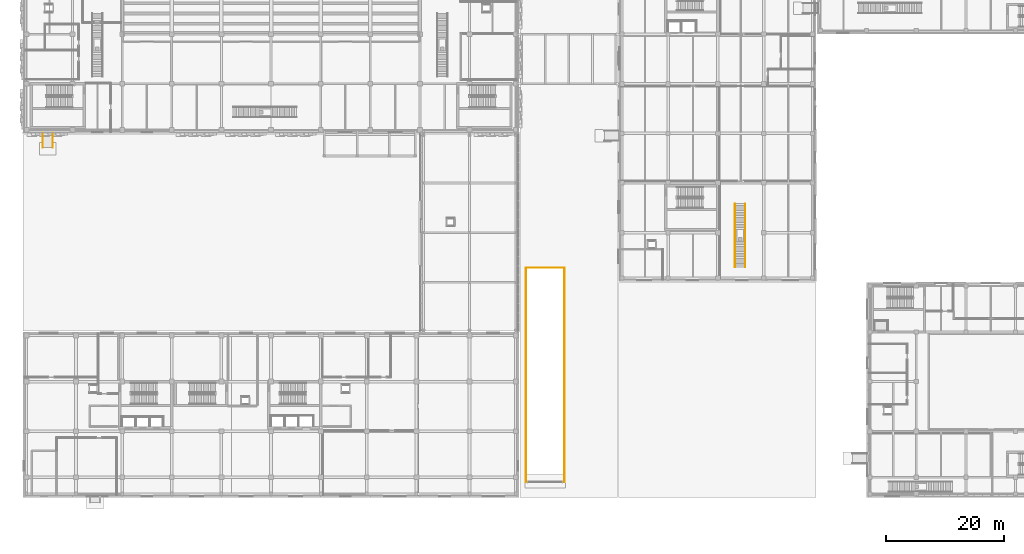
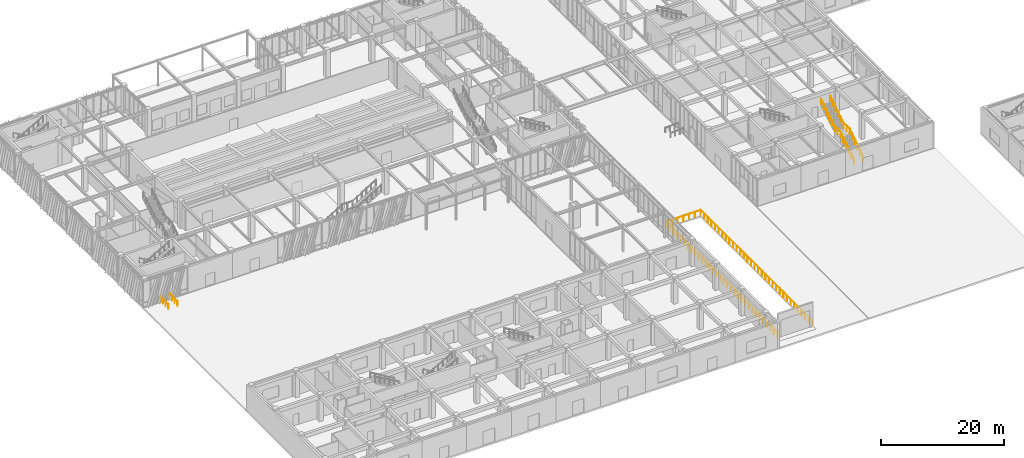
# One storey, part 109 of 122: 7 railings.
"""IFC4 building model written with IfcOpenShell, lengths in metres."""

from ifc_helpers import new_model, si_unit, direction, frame, origin, origin_2d, place, context, subcontext, project, spatial, circle, extrude, material, type_object, element, save


model = new_model("IFC4")

# Units and contexts
model_context = context("Model", 3, precision=1e-05, world=origin(), true_north=direction((0.0, 1.0)))
body_context = subcontext(model_context, "Body", "Model", "MODEL_VIEW")
ifc_project = project(units=[si_unit("LENGTHUNIT", "METRE"), si_unit("AREAUNIT", "SQUARE_METRE"), si_unit("VOLUMEUNIT", "CUBIC_METRE"), si_unit("PLANEANGLEUNIT", "RADIAN"), si_unit("MASSUNIT", "GRAM", prefix="KILO")], contexts=[model_context])

# Site, building, storey
site_placement = place(None, origin())
site = spatial("IfcSite", under=ifc_project, at=site_placement, CompositionType="ELEMENT")
building_placement = place(site_placement, origin())
building = spatial("IfcBuilding", under=site, at=building_placement, Name="Zayran Congress Hotel", CompositionType="ELEMENT")
storey_placement = place(building_placement, origin())
storey = spatial("IfcBuildingStorey", under=building, at=storey_placement, Name="L00", CompositionType="ELEMENT", Elevation=0.0)

# Railings
ifc_material_1 = material(Name="Warm bronze anodised aluminium balustrade", Category="aluminium")
railing_type_1 = type_object("IfcRailingType", Name="TP-GRD-EXT", PredefinedType="GUARDRAIL", material=ifc_material_1)
railing_1_placement = place(storey_placement, frame((93.550048828125, 8.60009765625, 0.0)))
element("IfcRailing", 1, at=railing_1_placement, inside=storey, type_object=railing_type_1, Name="GRD-RMP-L00W", PredefinedType="GUARDRAIL", context=body_context, shape_type="SweptSolid", body=[
    extrude(circle(Radius=0.02392578125, at=origin_2d()), frame((0.0, 0.0, 1.09619140625), z_axis=(0.0, 1.0, 0.0), x_axis=(-1.0, 0.0, 0.0)), (0.0, 0.0, 1.0), 36.25),
    extrude(circle(Radius=0.02099609375, at=origin_2d()), origin(), (0.0, 0.0, 1.0), 1.072021484375),
    extrude(circle(Radius=0.02099609375, at=origin_2d()), frame((0.0, 1.16943359375, 0.0)), (0.0, 0.0, 1.0), 1.072021484375),
    extrude(circle(Radius=0.02099609375, at=origin_2d()), frame((0.0, 2.338623046875, 0.0)), (0.0, 0.0, 1.0), 1.072021484375),
    extrude(circle(Radius=0.02099609375, at=origin_2d()), frame((0.0, 3.508056640625, 0.0)), (0.0, 0.0, 1.0), 1.072021484375),
    extrude(circle(Radius=0.02099609375, at=origin_2d()), frame((0.0, 4.677490234375, 0.0)), (0.0, 0.0, 1.0), 1.072021484375),
    extrude(circle(Radius=0.02099609375, at=origin_2d()), frame((0.0, 5.8466796875, 0.0)), (0.0, 0.0, 1.0), 1.072021484375),
    extrude(circle(Radius=0.02099609375, at=origin_2d()), frame((0.0, 7.01611328125, 0.0)), (0.0, 0.0, 1.0), 1.072021484375),
    extrude(circle(Radius=0.02099609375, at=origin_2d()), frame((0.0, 8.185546875, 0.0)), (0.0, 0.0, 1.0), 1.072021484375),
    extrude(circle(Radius=0.02099609375, at=origin_2d()), frame((0.0, 9.354736328125, 0.0)), (0.0, 0.0, 1.0), 1.072021484375),
    extrude(circle(Radius=0.02099609375, at=origin_2d()), frame((0.0, 10.524169921875, 0.0)), (0.0, 0.0, 1.0), 1.072021484375),
    extrude(circle(Radius=0.02099609375, at=origin_2d()), frame((0.0, 11.693603515625, 0.0)), (0.0, 0.0, 1.0), 1.072021484375),
    extrude(circle(Radius=0.02099609375, at=origin_2d()), frame((0.0, 12.86279296875, 0.0)), (0.0, 0.0, 1.0), 1.072021484375),
    extrude(circle(Radius=0.02099609375, at=origin_2d()), frame((0.0, 14.0322265625, 0.0)), (0.0, 0.0, 1.0), 1.072021484375),
    extrude(circle(Radius=0.02099609375, at=origin_2d()), frame((0.0, 15.20166015625, 0.0)), (0.0, 0.0, 1.0), 1.072021484375),
    extrude(circle(Radius=0.02099609375, at=origin_2d()), frame((0.0, 16.370849609375, 0.0)), (0.0, 0.0, 1.0), 1.072021484375),
    extrude(circle(Radius=0.02099609375, at=origin_2d()), frame((0.0, 17.540283203125, 0.0)), (0.0, 0.0, 1.0), 1.072021484375),
    extrude(circle(Radius=0.02099609375, at=origin_2d()), frame((0.0, 18.709716796875, 0.0)), (0.0, 0.0, 1.0), 1.072021484375),
    extrude(circle(Radius=0.02099609375, at=origin_2d()), frame((0.0, 19.879150390625, 0.0)), (0.0, 0.0, 1.0), 1.072021484375),
    extrude(circle(Radius=0.02099609375, at=origin_2d()), frame((0.0, 21.04833984375, 0.0)), (0.0, 0.0, 1.0), 1.072021484375),
    extrude(circle(Radius=0.02099609375, at=origin_2d()), frame((0.0, 22.2177734375, 0.0)), (0.0, 0.0, 1.0), 1.072021484375),
    extrude(circle(Radius=0.02099609375, at=origin_2d()), frame((0.0, 23.38720703125, 0.0)), (0.0, 0.0, 1.0), 1.072021484375),
    extrude(circle(Radius=0.02099609375, at=origin_2d()), frame((0.0, 24.556396484375, 0.0)), (0.0, 0.0, 1.0), 1.072021484375),
    extrude(circle(Radius=0.02099609375, at=origin_2d()), frame((0.0, 25.725830078125, 0.0)), (0.0, 0.0, 1.0), 1.072021484375),
    extrude(circle(Radius=0.02099609375, at=origin_2d()), frame((0.0, 26.895263671875, 0.0)), (0.0, 0.0, 1.0), 1.072021484375),
    extrude(circle(Radius=0.02099609375, at=origin_2d()), frame((0.0, 28.064453125, 0.0)), (0.0, 0.0, 1.0), 1.072021484375),
    extrude(circle(Radius=0.02099609375, at=origin_2d()), frame((0.0, 29.23388671875, 0.0)), (0.0, 0.0, 1.0), 1.072021484375),
    extrude(circle(Radius=0.02099609375, at=origin_2d()), frame((0.0, 30.4033203125, 0.0)), (0.0, 0.0, 1.0), 1.072021484375),
    extrude(circle(Radius=0.02099609375, at=origin_2d()), frame((0.0, 31.572509765625, 0.0)), (0.0, 0.0, 1.0), 1.072021484375),
    extrude(circle(Radius=0.02099609375, at=origin_2d()), frame((0.0, 32.741943359375, 0.0)), (0.0, 0.0, 1.0), 1.072021484375),
    extrude(circle(Radius=0.02099609375, at=origin_2d()), frame((0.0, 33.911376953125, 0.0)), (0.0, 0.0, 1.0), 1.072021484375),
    extrude(circle(Radius=0.02099609375, at=origin_2d()), frame((0.0, 35.08056640625, 0.0)), (0.0, 0.0, 1.0), 1.072021484375),
    extrude(circle(Radius=0.02099609375, at=origin_2d()), frame((0.0, 36.25, 0.0)), (0.0, 0.0, 1.0), 1.072021484375),
])
railing_2_placement = place(storey_placement, frame((100.050048828125, 8.60009765625, 0.0)))
element("IfcRailing", 2, at=railing_2_placement, inside=storey, type_object=railing_type_1, Name="GRD-RMP-L00E", PredefinedType="GUARDRAIL", context=body_context, shape_type="SweptSolid", body=[
    extrude(circle(Radius=0.02392578125, at=origin_2d()), frame((0.0, 0.0, 1.09619140625), z_axis=(0.0, 1.0, 0.0), x_axis=(-1.0, 0.0, 0.0)), (0.0, 0.0, 1.0), 36.25),
    extrude(circle(Radius=0.02099609375, at=origin_2d()), origin(), (0.0, 0.0, 1.0), 1.072021484375),
    extrude(circle(Radius=0.02099609375, at=origin_2d()), frame((0.0, 1.16943359375, 0.0)), (0.0, 0.0, 1.0), 1.072021484375),
    extrude(circle(Radius=0.02099609375, at=origin_2d()), frame((0.0, 2.338623046875, 0.0)), (0.0, 0.0, 1.0), 1.072021484375),
    extrude(circle(Radius=0.02099609375, at=origin_2d()), frame((0.0, 3.508056640625, 0.0)), (0.0, 0.0, 1.0), 1.072021484375),
    extrude(circle(Radius=0.02099609375, at=origin_2d()), frame((0.0, 4.677490234375, 0.0)), (0.0, 0.0, 1.0), 1.072021484375),
    extrude(circle(Radius=0.02099609375, at=origin_2d()), frame((0.0, 5.8466796875, 0.0)), (0.0, 0.0, 1.0), 1.072021484375),
    extrude(circle(Radius=0.02099609375, at=origin_2d()), frame((0.0, 7.01611328125, 0.0)), (0.0, 0.0, 1.0), 1.072021484375),
    extrude(circle(Radius=0.02099609375, at=origin_2d()), frame((0.0, 8.185546875, 0.0)), (0.0, 0.0, 1.0), 1.072021484375),
    extrude(circle(Radius=0.02099609375, at=origin_2d()), frame((0.0, 9.354736328125, 0.0)), (0.0, 0.0, 1.0), 1.072021484375),
    extrude(circle(Radius=0.02099609375, at=origin_2d()), frame((0.0, 10.524169921875, 0.0)), (0.0, 0.0, 1.0), 1.072021484375),
    extrude(circle(Radius=0.02099609375, at=origin_2d()), frame((0.0, 11.693603515625, 0.0)), (0.0, 0.0, 1.0), 1.072021484375),
    extrude(circle(Radius=0.02099609375, at=origin_2d()), frame((0.0, 12.86279296875, 0.0)), (0.0, 0.0, 1.0), 1.072021484375),
    extrude(circle(Radius=0.02099609375, at=origin_2d()), frame((0.0, 14.0322265625, 0.0)), (0.0, 0.0, 1.0), 1.072021484375),
    extrude(circle(Radius=0.02099609375, at=origin_2d()), frame((0.0, 15.20166015625, 0.0)), (0.0, 0.0, 1.0), 1.072021484375),
    extrude(circle(Radius=0.02099609375, at=origin_2d()), frame((0.0, 16.370849609375, 0.0)), (0.0, 0.0, 1.0), 1.072021484375),
    extrude(circle(Radius=0.02099609375, at=origin_2d()), frame((0.0, 17.540283203125, 0.0)), (0.0, 0.0, 1.0), 1.072021484375),
    extrude(circle(Radius=0.02099609375, at=origin_2d()), frame((0.0, 18.709716796875, 0.0)), (0.0, 0.0, 1.0), 1.072021484375),
    extrude(circle(Radius=0.02099609375, at=origin_2d()), frame((0.0, 19.879150390625, 0.0)), (0.0, 0.0, 1.0), 1.072021484375),
    extrude(circle(Radius=0.02099609375, at=origin_2d()), frame((0.0, 21.04833984375, 0.0)), (0.0, 0.0, 1.0), 1.072021484375),
    extrude(circle(Radius=0.02099609375, at=origin_2d()), frame((0.0, 22.2177734375, 0.0)), (0.0, 0.0, 1.0), 1.072021484375),
    extrude(circle(Radius=0.02099609375, at=origin_2d()), frame((0.0, 23.38720703125, 0.0)), (0.0, 0.0, 1.0), 1.072021484375),
    extrude(circle(Radius=0.02099609375, at=origin_2d()), frame((0.0, 24.556396484375, 0.0)), (0.0, 0.0, 1.0), 1.072021484375),
    extrude(circle(Radius=0.02099609375, at=origin_2d()), frame((0.0, 25.725830078125, 0.0)), (0.0, 0.0, 1.0), 1.072021484375),
    extrude(circle(Radius=0.02099609375, at=origin_2d()), frame((0.0, 26.895263671875, 0.0)), (0.0, 0.0, 1.0), 1.072021484375),
    extrude(circle(Radius=0.02099609375, at=origin_2d()), frame((0.0, 28.064453125, 0.0)), (0.0, 0.0, 1.0), 1.072021484375),
    extrude(circle(Radius=0.02099609375, at=origin_2d()), frame((0.0, 29.23388671875, 0.0)), (0.0, 0.0, 1.0), 1.072021484375),
    extrude(circle(Radius=0.02099609375, at=origin_2d()), frame((0.0, 30.4033203125, 0.0)), (0.0, 0.0, 1.0), 1.072021484375),
    extrude(circle(Radius=0.02099609375, at=origin_2d()), frame((0.0, 31.572509765625, 0.0)), (0.0, 0.0, 1.0), 1.072021484375),
    extrude(circle(Radius=0.02099609375, at=origin_2d()), frame((0.0, 32.741943359375, 0.0)), (0.0, 0.0, 1.0), 1.072021484375),
    extrude(circle(Radius=0.02099609375, at=origin_2d()), frame((0.0, 33.911376953125, 0.0)), (0.0, 0.0, 1.0), 1.072021484375),
    extrude(circle(Radius=0.02099609375, at=origin_2d()), frame((0.0, 35.08056640625, 0.0)), (0.0, 0.0, 1.0), 1.072021484375),
    extrude(circle(Radius=0.02099609375, at=origin_2d()), frame((0.0, 36.25, 0.0)), (0.0, 0.0, 1.0), 1.072021484375),
])
railing_3_placement = place(storey_placement, frame((93.550048828125, 44.85009765625, 0.0)))
element("IfcRailing", 3, at=railing_3_placement, inside=storey, type_object=railing_type_1, Name="GRD-RMP-L00N", PredefinedType="GUARDRAIL", context=body_context, shape_type="SweptSolid", body=[
    extrude(circle(Radius=0.02392578125, at=origin_2d()), frame((0.0, 0.0, 1.09619140625), z_axis=(1.0, 0.0, 0.0), x_axis=(0.0, 1.0, 0.0)), (0.0, 0.0, 1.0), 6.5),
    extrude(circle(Radius=0.02099609375, at=origin_2d()), origin(), (0.0, 0.0, 1.0), 1.072021484375),
    extrude(circle(Radius=0.02099609375, at=origin_2d()), frame((1.083251953125, 0.0, 0.0)), (0.0, 0.0, 1.0), 1.072021484375),
    extrude(circle(Radius=0.02099609375, at=origin_2d()), frame((2.166748046875, 0.0, 0.0)), (0.0, 0.0, 1.0), 1.072021484375),
    extrude(circle(Radius=0.02099609375, at=origin_2d()), frame((3.25, 0.0, 0.0)), (0.0, 0.0, 1.0), 1.072021484375),
    extrude(circle(Radius=0.02099609375, at=origin_2d()), frame((4.333251953125, 0.0, 0.0)), (0.0, 0.0, 1.0), 1.072021484375),
    extrude(circle(Radius=0.02099609375, at=origin_2d()), frame((5.416748046875, 0.0, 0.0)), (0.0, 0.0, 1.0), 1.072021484375),
    extrude(circle(Radius=0.02099609375, at=origin_2d()), frame((6.5, 0.0, 0.0)), (0.0, 0.0, 1.0), 1.072021484375),
])
for number, where, name in (
    (4, (13.449951171875, 65.199951171875, -0.110107421875), "HND-RMP-01-L"),
    (5, (11.75, 65.199951171875, -0.110107421875), "HND-RMP-01-R"),
):
    element("IfcRailing", number, at=place(storey_placement, frame(where)), inside=storey, type_object=railing_type_1, Name=name, PredefinedType="GUARDRAIL", context=body_context, shape_type="SweptSolid", body=[
        extrude(circle(Radius=0.02392578125, at=origin_2d()), frame((0.0, 0.0, 1.09619140625), z_axis=(0.0, 0.999031517209, 0.044000313893), x_axis=(-1.0, 0.0, 0.0)), (0.0, 0.0, 1.0), 2.50244140625),
        extrude(circle(Radius=0.02099609375, at=origin_2d()), origin(), (0.0, 0.0, 1.0), 1.072021484375),
        extrude(circle(Radius=0.02099609375, at=origin_2d()), frame((0.0, 0.833251953125, 0.03662109375)), (0.0, 0.0, 1.0), 1.072021484375),
        extrude(circle(Radius=0.02099609375, at=origin_2d()), frame((0.0, 1.666748046875, 0.073486328125)), (0.0, 0.0, 1.0), 1.072021484375),
        extrude(circle(Radius=0.02099609375, at=origin_2d()), frame((0.0, 2.5, 0.110107421875)), (0.0, 0.0, 1.0), 1.072021484375),
    ])
ifc_material_2 = material(Name="Painted steel balustrade", Category="steel")
railing_type_2 = type_object("IfcRailingType", Name="TP-GRD-INT", PredefinedType="GUARDRAIL", material=ifc_material_2)
railing_4_placement = place(storey_placement, frame((130.659912109375, 45.0, 0.0)))
element("IfcRailing", 6, at=railing_4_placement, inside=storey, type_object=railing_type_2, Name="GRD-VOM-06-R", PredefinedType="GUARDRAIL", context=body_context, shape_type="SweptSolid", body=[
    extrude(circle(Radius=0.02392578125, at=origin_2d()), frame((0.0, 0.0, 1.076171875), z_axis=(0.0, 0.849649743971, 0.527347430608), x_axis=(-1.0, 0.0, 0.0)), (0.0, 0.0, 1.0), 5.119873046875),
    extrude(circle(Radius=0.02392578125, at=origin_2d()), frame((0.0, 4.35009765625, 3.77587890625), z_axis=(0.0, 1.0, 0.0), x_axis=(-1.0, 0.0, 0.0)), (0.0, 0.0, 1.0), 2.0),
    extrude(circle(Radius=0.02392578125, at=origin_2d()), frame((0.0, 6.35009765625, 3.77587890625), z_axis=(0.0, 0.849636482215, 0.527368797038), x_axis=(-1.0, 0.0, 0.0)), (0.0, 0.0, 1.0), 5.11962890625),
    extrude(circle(Radius=0.02099609375, at=origin_2d()), origin(), (0.0, 0.0, 1.0), 1.052001953125),
    extrude(circle(Radius=0.02099609375, at=origin_2d()), frame((0.0, 0.8701171875, 0.5400390625)), (0.0, 0.0, 1.0), 1.052001953125),
    extrude(circle(Radius=0.02099609375, at=origin_2d()), frame((0.0, 1.739990234375, 1.080078125)), (0.0, 0.0, 1.0), 1.052001953125),
    extrude(circle(Radius=0.02099609375, at=origin_2d()), frame((0.0, 2.610107421875, 1.619873046875)), (0.0, 0.0, 1.0), 1.052001953125),
    extrude(circle(Radius=0.02099609375, at=origin_2d()), frame((0.0, 3.47998046875, 2.159912109375)), (0.0, 0.0, 1.0), 1.052001953125),
    extrude(circle(Radius=0.02099609375, at=origin_2d()), frame((0.0, 4.35009765625, 2.699951171875)), (0.0, 0.0, 1.0), 1.052001953125),
    extrude(circle(Radius=0.02099609375, at=origin_2d()), frame((0.0, 5.35009765625, 2.699951171875)), (0.0, 0.0, 1.0), 1.052001953125),
    extrude(circle(Radius=0.02099609375, at=origin_2d()), frame((0.0, 6.35009765625, 2.699951171875)), (0.0, 0.0, 1.0), 1.052001953125),
    extrude(circle(Radius=0.02099609375, at=origin_2d()), frame((0.0, 7.219970703125, 3.239990234375)), (0.0, 0.0, 1.0), 1.052001953125),
    extrude(circle(Radius=0.02099609375, at=origin_2d()), frame((0.0, 8.090087890625, 3.780029296875)), (0.0, 0.0, 1.0), 1.052001953125),
    extrude(circle(Radius=0.02099609375, at=origin_2d()), frame((0.0, 8.9599609375, 4.31982421875)), (0.0, 0.0, 1.0), 1.052001953125),
    extrude(circle(Radius=0.02099609375, at=origin_2d()), frame((0.0, 9.830078125, 4.85986328125)), (0.0, 0.0, 1.0), 1.052001953125),
    extrude(circle(Radius=0.02099609375, at=origin_2d()), frame((0.0, 10.699951171875, 5.39990234375)), (0.0, 0.0, 1.0), 1.052001953125),
])
railing_5_placement = place(storey_placement, frame((128.93994140625, 45.0, 0.0)))
element("IfcRailing", 7, at=railing_5_placement, inside=storey, type_object=railing_type_2, Name="GRD-VOM-06-L", PredefinedType="GUARDRAIL", context=body_context, shape_type="SweptSolid", body=[
    extrude(circle(Radius=0.02392578125, at=origin_2d()), frame((0.0, 0.0, 1.076171875), z_axis=(0.0, 0.849649743971, 0.527347430608), x_axis=(-1.0, 0.0, 0.0)), (0.0, 0.0, 1.0), 5.119873046875),
    extrude(circle(Radius=0.02392578125, at=origin_2d()), frame((0.0, 4.35009765625, 3.77587890625), z_axis=(0.0, 1.0, 0.0), x_axis=(-1.0, 0.0, 0.0)), (0.0, 0.0, 1.0), 2.0),
    extrude(circle(Radius=0.02392578125, at=origin_2d()), frame((0.0, 6.35009765625, 3.77587890625), z_axis=(0.0, 0.849636482215, 0.527368797038), x_axis=(-1.0, 0.0, 0.0)), (0.0, 0.0, 1.0), 5.11962890625),
    extrude(circle(Radius=0.02099609375, at=origin_2d()), origin(), (0.0, 0.0, 1.0), 1.052001953125),
    extrude(circle(Radius=0.02099609375, at=origin_2d()), frame((0.0, 0.8701171875, 0.5400390625)), (0.0, 0.0, 1.0), 1.052001953125),
    extrude(circle(Radius=0.02099609375, at=origin_2d()), frame((0.0, 1.739990234375, 1.080078125)), (0.0, 0.0, 1.0), 1.052001953125),
    extrude(circle(Radius=0.02099609375, at=origin_2d()), frame((0.0, 2.610107421875, 1.619873046875)), (0.0, 0.0, 1.0), 1.052001953125),
    extrude(circle(Radius=0.02099609375, at=origin_2d()), frame((0.0, 3.47998046875, 2.159912109375)), (0.0, 0.0, 1.0), 1.052001953125),
    extrude(circle(Radius=0.02099609375, at=origin_2d()), frame((0.0, 4.35009765625, 2.699951171875)), (0.0, 0.0, 1.0), 1.052001953125),
    extrude(circle(Radius=0.02099609375, at=origin_2d()), frame((0.0, 5.35009765625, 2.699951171875)), (0.0, 0.0, 1.0), 1.052001953125),
    extrude(circle(Radius=0.02099609375, at=origin_2d()), frame((0.0, 6.35009765625, 2.699951171875)), (0.0, 0.0, 1.0), 1.052001953125),
    extrude(circle(Radius=0.02099609375, at=origin_2d()), frame((0.0, 7.219970703125, 3.239990234375)), (0.0, 0.0, 1.0), 1.052001953125),
    extrude(circle(Radius=0.02099609375, at=origin_2d()), frame((0.0, 8.090087890625, 3.780029296875)), (0.0, 0.0, 1.0), 1.052001953125),
    extrude(circle(Radius=0.02099609375, at=origin_2d()), frame((0.0, 8.9599609375, 4.31982421875)), (0.0, 0.0, 1.0), 1.052001953125),
    extrude(circle(Radius=0.02099609375, at=origin_2d()), frame((0.0, 9.830078125, 4.85986328125)), (0.0, 0.0, 1.0), 1.052001953125),
    extrude(circle(Radius=0.02099609375, at=origin_2d()), frame((0.0, 10.699951171875, 5.39990234375)), (0.0, 0.0, 1.0), 1.052001953125),
])

save(model, "model.ifc")
